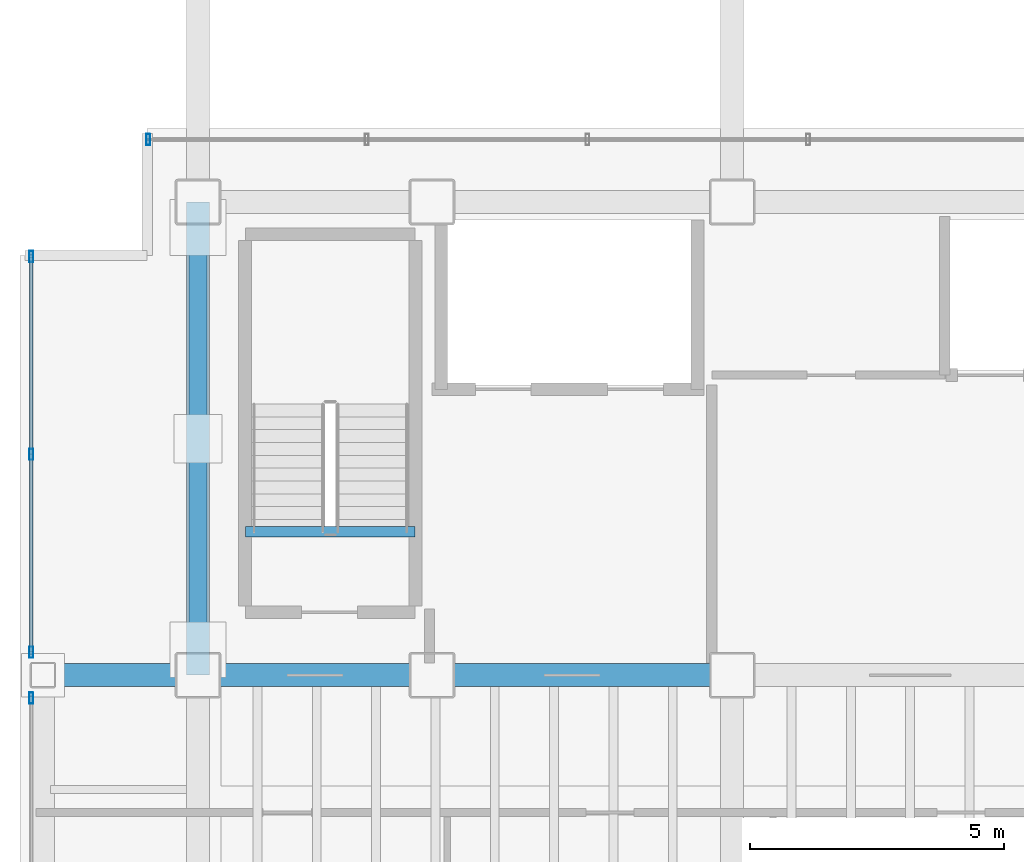
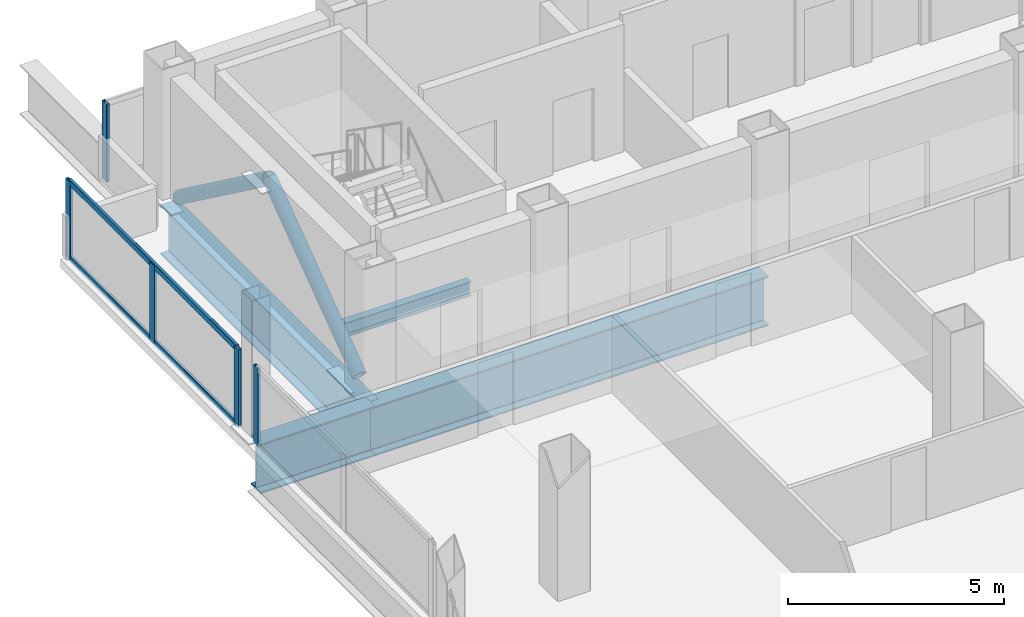
# One storey, part 6 of 17: 9 members, 4 beams, 3 elements without a shape of their own.
"""IFC4 building model written with IfcOpenShell, lengths in metres."""

from ifc_helpers import new_model, si_unit, direction, frame, origin, origin_2d, place, context, subcontext, project, spatial, hollow_rectangle, hollow_circle, i_section, extrude, material, material_profile, profile_set, type_object, element, aggregate, save


model = new_model("IFC4")

# Units and contexts
model_context = context("Model", 3, precision=1e-05, world=origin(), true_north=direction((0.0, 1.0)))
body_context = subcontext(model_context, "Body", "Model", "MODEL_VIEW")
ifc_project = project(units=[si_unit("LENGTHUNIT", "METRE"), si_unit("AREAUNIT", "SQUARE_METRE"), si_unit("VOLUMEUNIT", "CUBIC_METRE"), si_unit("PLANEANGLEUNIT", "RADIAN"), si_unit("MASSUNIT", "GRAM", prefix="KILO")], contexts=[model_context])

# Site, building, storey
site_placement = place(None, origin())
site = spatial("IfcSite", under=ifc_project, at=site_placement, CompositionType="ELEMENT")
building_placement = place(site_placement, origin())
building = spatial("IfcBuilding", under=site, at=building_placement, Name="Noeulbin Bourse Tower", CompositionType="ELEMENT")
storey_placement = place(building_placement, frame((0.0, 0.0, 196.800048828125)))
storey = spatial("IfcBuildingStorey", under=building, at=storey_placement, Name="L49", CompositionType="ELEMENT", Elevation=196.800048828125)

# Beams
ifc_material_1 = material(Name="Steel S355", Category="steel")
ifc_material_profile_1 = material_profile(ifc_material_1, i_section(OverallWidth=0.199951171875, OverallDepth=0.39990234375, WebThickness=0.008056640625, FlangeThickness=0.012939453125, FilletRadius=0.01611328125, at=origin_2d()), Name="H-400x200x8x13", Category="LoadBearing")
ifc_profile_set_1 = profile_set([ifc_material_profile_1], Name="Steel S355")
beam_type_1 = type_object("IfcBeamType", Name="BM-SEC-400", PredefinedType="BEAM", material=ifc_profile_set_1)
beam_1_placement = place(storey_placement, frame((14.429931640625, 31.820068359375, -0.199951171875), z_axis=(1.0, 0.0, 0.0), x_axis=(0.0, 1.0, 0.0)))
element("IfcBeam", 1, at=beam_1_placement, inside=storey, type_object=beam_type_1, Name="Stair Threshold Trimmer Beam ST1-L49", PredefinedType="BEAM", context=body_context, shape_type="SweptSolid", body=[
    extrude(i_section(OverallWidth=0.199951171875, OverallDepth=0.39990234375, WebThickness=0.008056640625, FlangeThickness=0.012939453125, FilletRadius=0.01611328125, at=origin_2d()), origin(), (0.0, 0.0, 1.0), 3.340087890625),
])
ifc_material_2 = material(Name="Steel S460", Category="steel")
ifc_material_profile_2 = material_profile(ifc_material_2, i_section(OverallWidth=0.449951171875, OverallDepth=1.39990234375, WebThickness=0.02392578125, FlangeThickness=0.0400390625, FilletRadius=0.02392578125, at=origin_2d()), Name="PG-1400x450x24x40", Category="LoadBearing")
ifc_profile_set_2 = profile_set([ifc_material_profile_2], Name="Steel S460")
beam_type_2 = type_object("IfcBeamType", Name="BM-TRF-1400", PredefinedType="USERDEFINED", material=ifc_profile_set_2)
beam_2_placement = place(storey_placement, frame((10.449951171875, 29.0, -0.93994140625), z_axis=(1.0, 0.0, 0.0), x_axis=(0.0, 1.0, 0.0)))
element("IfcBeam", 2, at=beam_2_placement, inside=storey, type_object=beam_type_2, Name="Tower Primary Girder EW L49-2.1", ObjectType="GIRDER", PredefinedType="USERDEFINED", context=body_context, shape_type="SweptSolid", body=[
    extrude(i_section(OverallWidth=0.449951171875, OverallDepth=1.39990234375, WebThickness=0.02392578125, FlangeThickness=0.0400390625, FilletRadius=0.02392578125, at=origin_2d()), origin(), (0.0, 0.0, 1.0), 3.050048828125),
])
beam_3_placement = place(storey_placement, frame((13.5, 29.0, -0.93994140625), z_axis=(1.0, 0.0, 0.0), x_axis=(0.0, 1.0, 0.0)))
element("IfcBeam", 3, at=beam_3_placement, inside=storey, type_object=beam_type_2, Name="Tower Primary Girder EW L49-2.2", ObjectType="GIRDER", PredefinedType="USERDEFINED", context=body_context, shape_type="SweptSolid", body=[
    extrude(i_section(OverallWidth=0.449951171875, OverallDepth=1.39990234375, WebThickness=0.02392578125, FlangeThickness=0.0400390625, FilletRadius=0.02392578125, at=origin_2d()), origin(), (0.0, 0.0, 1.0), 10.5),
])
beam_4_placement = place(storey_placement, frame((13.5, 29.0, -0.93994140625), z_axis=(0.0, 1.0, 0.0), x_axis=(-1.0, 0.0, 0.0)))
element("IfcBeam", 4, at=beam_4_placement, inside=storey, type_object=beam_type_2, Name="Tower Primary Girder NS L49-1.5", ObjectType="GIRDER", PredefinedType="USERDEFINED", context=body_context, shape_type="SweptSolid", body=[
    extrude(i_section(OverallWidth=0.449951171875, OverallDepth=1.39990234375, WebThickness=0.02392578125, FlangeThickness=0.0400390625, FilletRadius=0.02392578125, at=origin_2d()), origin(), (0.0, 0.0, 1.0), 9.300048828125),
])

# Curtain wall, member
ifc_material_3 = material(Name="Dark Tinted Triple Glazing", Category="glass")
curtain_wall_type = type_object("IfcCurtainWallType", Name="CW-SYS-3", PredefinedType="NOTDEFINED", material=ifc_material_3)
curtain_wall_1_placement = place(storey_placement, origin())
curtain_wall_1 = element("IfcCurtainWall", 5, at=curtain_wall_1_placement, inside=storey, type_object=curtain_wall_type, Name="Unitised Curtain Wall CW-L49-N", PredefinedType="NOTDEFINED")
ifc_material_4 = material(Name="Anodised Aluminium 6063-T6", Category="aluminium")
ifc_material_profile_3 = material_profile(ifc_material_4, hollow_rectangle(XDim=0.074951171875, YDim=0.219970703125, WallThickness=0.0048828125, InnerFilletRadius=0.00244140625, OuterFilletRadius=0.0048828125, at=origin_2d()), Name="ALU-MULL-75x220x5", Category="LoadBearing")
ifc_profile_set_3 = profile_set([ifc_material_profile_3], Name="Anodised Aluminium 6063-T6")
member_type_1 = type_object("IfcMemberType", Name="CW-SYS-3-MUL", PredefinedType="MULLION", material=ifc_profile_set_3)
member_1_placement = place(storey_placement, frame((12.52001953125, 39.530029296875, -0.02001953125), z_axis=(0.0, 0.0, 1.0), x_axis=(1.0, 0.0, 0.0)))
member_1 = element("IfcMember", 6, at=member_1_placement, type_object=member_type_1, Name="Curtain Wall Mullion CW-L49-N-M00", PredefinedType="MULLION", context=body_context, shape_type="SweptSolid", body=[
    extrude(hollow_rectangle(XDim=0.074951171875, YDim=0.219970703125, WallThickness=0.0048828125, InnerFilletRadius=0.00244140625, OuterFilletRadius=0.0048828125, at=origin_2d()), origin(), (0.0, 0.0, 1.0), 2.199951171875),
])
aggregate(curtain_wall_1, [member_1])

curtain_wall_2_placement = place(storey_placement, origin())
curtain_wall_2 = element("IfcCurtainWall", 7, at=curtain_wall_2_placement, inside=storey, type_object=curtain_wall_type, Name="Unitised Curtain Wall CW-L49-W-S2", PredefinedType="NOTDEFINED")
member_2_placement = place(storey_placement, frame((10.219970703125, 28.550048828125, -0.02001953125), z_axis=(0.0, 0.0, 1.0), x_axis=(1.0, 0.0, 0.0)))
member_2 = element("IfcMember", 8, at=member_2_placement, type_object=member_type_1, Name="Curtain Wall Mullion CW-L49-W-S2-M02", PredefinedType="MULLION", context=body_context, shape_type="SweptSolid", body=[
    extrude(hollow_rectangle(XDim=0.074951171875, YDim=0.219970703125, WallThickness=0.0048828125, InnerFilletRadius=0.00244140625, OuterFilletRadius=0.0048828125, at=origin_2d()), origin(), (0.0, 0.0, 1.0), 2.199951171875),
])
aggregate(curtain_wall_2, [member_2])

# Curtain wall, members
curtain_wall_3_placement = place(storey_placement, origin())
curtain_wall_3 = element("IfcCurtainWall", 9, at=curtain_wall_3_placement, inside=storey, type_object=curtain_wall_type, Name="Unitised Curtain Wall CW-L49-W-S3", PredefinedType="NOTDEFINED")
member_3_placement = place(storey_placement, frame((10.219970703125, 29.449951171875, -0.02001953125), z_axis=(0.0, 0.0, 1.0), x_axis=(1.0, 0.0, 0.0)))
member_3 = element("IfcMember", 10, at=member_3_placement, type_object=member_type_1, Name="Curtain Wall Mullion CW-L49-W-S3-M00", PredefinedType="MULLION", context=body_context, shape_type="SweptSolid", body=[
    extrude(hollow_rectangle(XDim=0.074951171875, YDim=0.219970703125, WallThickness=0.0048828125, InnerFilletRadius=0.00244140625, OuterFilletRadius=0.0048828125, at=origin_2d()), origin(), (0.0, 0.0, 1.0), 2.199951171875),
])
member_4_placement = place(storey_placement, frame((10.219970703125, 33.340087890625, -0.02001953125), z_axis=(0.0, 0.0, 1.0), x_axis=(1.0, 0.0, 0.0)))
member_4 = element("IfcMember", 11, at=member_4_placement, type_object=member_type_1, Name="Curtain Wall Mullion CW-L49-W-S3-M01", PredefinedType="MULLION", context=body_context, shape_type="SweptSolid", body=[
    extrude(hollow_rectangle(XDim=0.074951171875, YDim=0.219970703125, WallThickness=0.0048828125, InnerFilletRadius=0.00244140625, OuterFilletRadius=0.0048828125, at=origin_2d()), origin(), (0.0, 0.0, 1.0), 2.199951171875),
])
member_5_placement = place(storey_placement, frame((10.219970703125, 37.22998046875, -0.02001953125), z_axis=(0.0, 0.0, 1.0), x_axis=(1.0, 0.0, 0.0)))
member_5 = element("IfcMember", 12, at=member_5_placement, type_object=member_type_1, Name="Curtain Wall Mullion CW-L49-W-S3-M02", PredefinedType="MULLION", context=body_context, shape_type="SweptSolid", body=[
    extrude(hollow_rectangle(XDim=0.074951171875, YDim=0.219970703125, WallThickness=0.0048828125, InnerFilletRadius=0.00244140625, OuterFilletRadius=0.0048828125, at=origin_2d()), origin(), (0.0, 0.0, 1.0), 2.199951171875),
])
ifc_material_profile_4 = material_profile(ifc_material_4, hollow_rectangle(XDim=0.074951171875, YDim=0.159912109375, WallThickness=0.0048828125, InnerFilletRadius=0.00244140625, OuterFilletRadius=0.0048828125, at=origin_2d()), Name="ALU-TRAN-75x160x5", Category="LoadBearing")
ifc_profile_set_4 = profile_set([ifc_material_profile_4], Name="Anodised Aluminium 6063-T6")
member_type_2 = type_object("IfcMemberType", Name="CW-SYS-3-TRN", PredefinedType="USERDEFINED", material=ifc_profile_set_4)
member_6_placement = place(storey_placement, frame((10.219970703125, 29.4599609375, 0.010009765625), z_axis=(0.0, 1.0, 0.0), x_axis=(-1.0, 0.0, 0.0)))
member_6 = element("IfcMember", 13, at=member_6_placement, type_object=member_type_2, Name="Curtain Wall Transom CW-L49-W-S3-T00", ObjectType="TRANSOM", PredefinedType="USERDEFINED", context=body_context, shape_type="SweptSolid", body=[
    extrude(hollow_rectangle(XDim=0.074951171875, YDim=0.159912109375, WallThickness=0.0048828125, InnerFilletRadius=0.00244140625, OuterFilletRadius=0.0048828125, at=origin_2d()), origin(), (0.0, 0.0, 1.0), 7.760009765625),
])
member_7_placement = place(storey_placement, frame((10.219970703125, 29.4599609375, 2.14990234375), z_axis=(0.0, 1.0, 0.0), x_axis=(-1.0, 0.0, 0.0)))
member_7 = element("IfcMember", 14, at=member_7_placement, type_object=member_type_2, Name="Curtain Wall Transom CW-L49-W-S3-T01", ObjectType="TRANSOM", PredefinedType="USERDEFINED", context=body_context, shape_type="SweptSolid", body=[
    extrude(hollow_rectangle(XDim=0.074951171875, YDim=0.159912109375, WallThickness=0.0048828125, InnerFilletRadius=0.00244140625, OuterFilletRadius=0.0048828125, at=origin_2d()), origin(), (0.0, 0.0, 1.0), 7.760009765625),
])
aggregate(curtain_wall_3, [member_3, member_4, member_5, member_6, member_7])

# Members
ifc_material_profile_5 = material_profile(ifc_material_1, hollow_circle(Radius=0.177734375, WallThickness=0.0126953125, at=origin_2d()), Name="CHS-355.6x12.7", Category="LoadBearing")
ifc_profile_set_5 = profile_set([ifc_material_profile_5], Name="Steel S355")
member_type_3 = type_object("IfcMemberType", Name="MEM-EXO-356", PredefinedType="BRACE", material=ifc_profile_set_5)
member_8_placement = place(storey_placement, frame((13.5, 29.5, 0.199951171875), z_axis=(0.0, 0.805776092721, 0.59222030394), x_axis=(-1.0, 0.0, 0.0)))
element("IfcMember", 15, at=member_8_placement, inside=storey, type_object=member_type_3, Name="Core Flank Chevron Brace XT-L49-W1", PredefinedType="BRACE", context=body_context, shape_type="SweptSolid", body=[
    extrude(hollow_circle(Radius=0.177734375, WallThickness=0.0126953125, at=origin_2d()), origin(), (0.0, 0.0, 1.0), 5.150146484375),
])
member_9_placement = place(storey_placement, frame((13.5, 33.64990234375, 3.25), z_axis=(0.0, 0.805792717591, -0.592197683444), x_axis=(-1.0, 0.0, 0.0)))
element("IfcMember", 16, at=member_9_placement, inside=storey, type_object=member_type_3, Name="Core Flank Chevron Brace XT-L49-W2", PredefinedType="BRACE", context=body_context, shape_type="SweptSolid", body=[
    extrude(hollow_circle(Radius=0.177734375, WallThickness=0.0126953125, at=origin_2d()), origin(), (0.0, 0.0, 1.0), 5.150390625),
])

save(model, "model.ifc")
